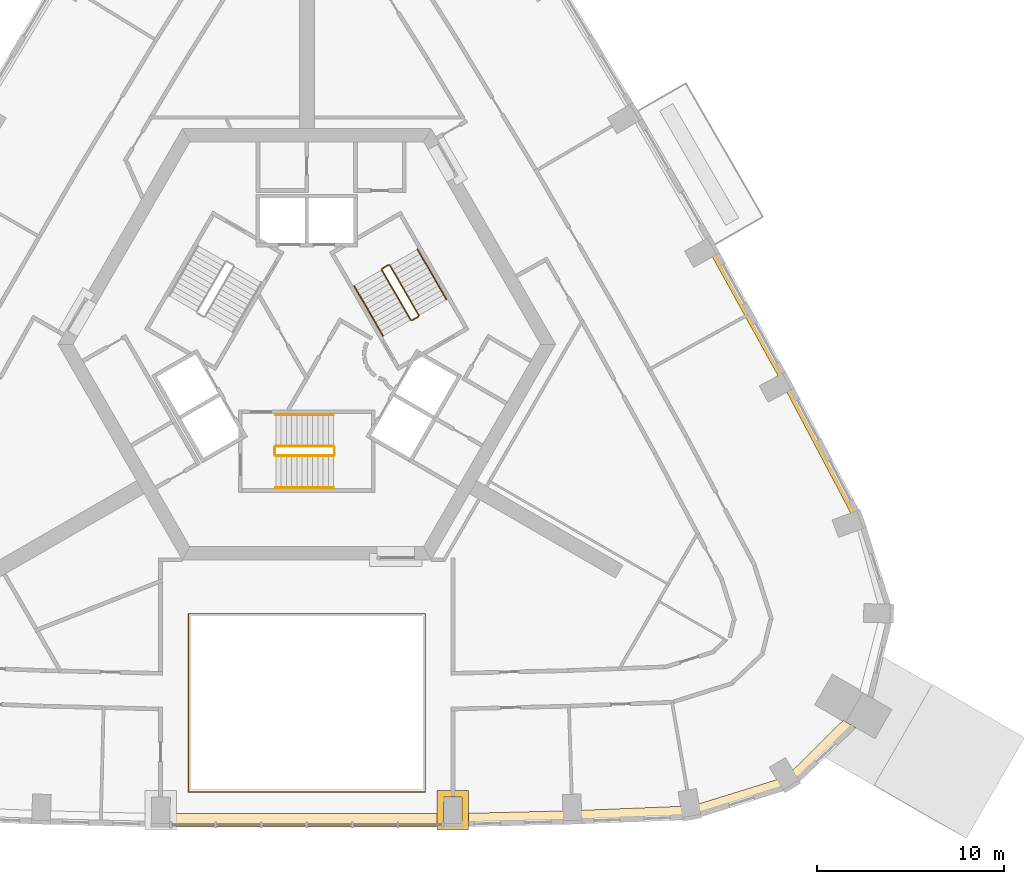
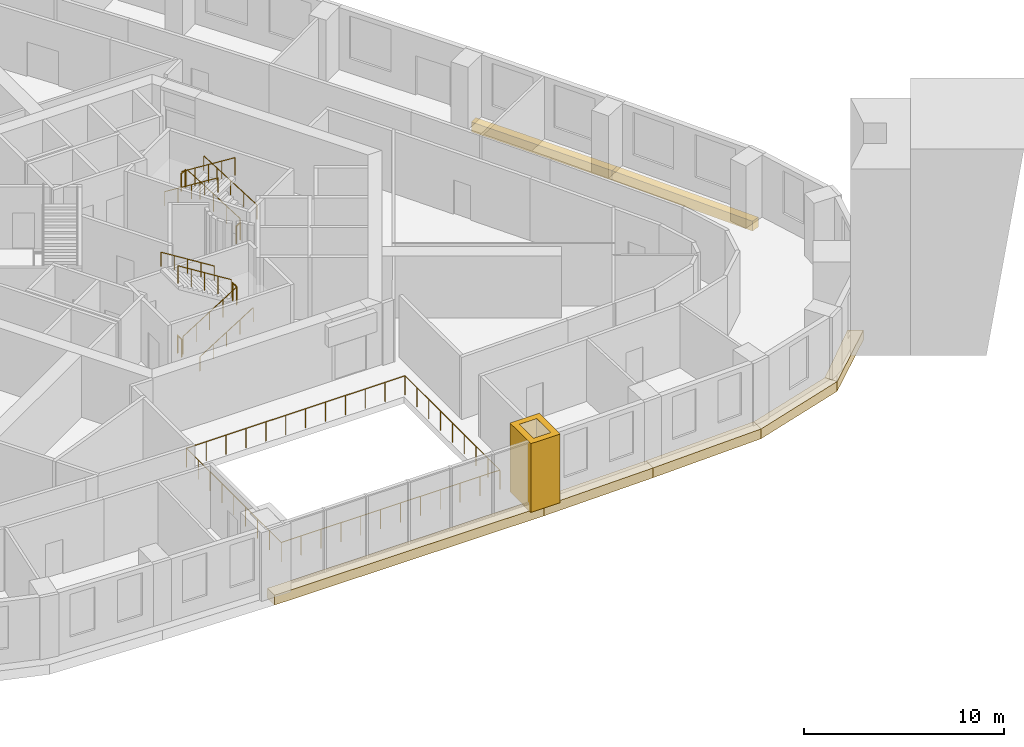
# One storey, part 12 of 13: 13 railings, 8 coverings.
"""IFC4 building model written with IfcOpenShell, lengths in metres."""

from ifc_helpers import new_model, si_unit, direction, frame, origin, origin_2d, place, context, subcontext, project, spatial, polyline, circle, outline, extrude, material, type_object, element, save


model = new_model("IFC4")

# Units and contexts
model_context = context("Model", 3, precision=1e-05, world=origin(), true_north=direction((0.0, 1.0)))
body_context = subcontext(model_context, "Body", "Model", "MODEL_VIEW")
ifc_project = project(units=[si_unit("LENGTHUNIT", "METRE"), si_unit("AREAUNIT", "SQUARE_METRE"), si_unit("VOLUMEUNIT", "CUBIC_METRE"), si_unit("PLANEANGLEUNIT", "RADIAN"), si_unit("MASSUNIT", "GRAM", prefix="KILO")], contexts=[model_context])

# Site, building, storey
site_placement = place(None, origin())
site = spatial("IfcSite", under=ifc_project, at=site_placement, CompositionType="ELEMENT")
building_placement = place(site_placement, origin())
building = spatial("IfcBuilding", under=site, at=building_placement, Name="Entoto Arch Interchange Tower", CompositionType="ELEMENT")
storey_placement = place(building_placement, frame((0.0, 0.0, 215.0)))
storey = spatial("IfcBuildingStorey", under=building, at=storey_placement, Name="L48", CompositionType="ELEMENT", Elevation=215.0)

# Railing
ifc_material_1 = material(Name="Stainless steel 1.4301", Category="steel")
railing_type_1 = type_object("IfcRailingType", Name="ATRIUM GUARD 1200 STEEL AND GLASS", PredefinedType="GUARDRAIL", material=ifc_material_1)
railing_1_placement = place(storey_placement, frame((6.320068359375, -21.381103515625, 0.0)))
element("IfcRailing", 1, at=railing_1_placement, inside=storey, type_object=railing_type_1, Name="Atrium guard L48", PredefinedType="GUARDRAIL", context=body_context, shape_type="SweptSolid", body=[
    extrude(circle(Radius=0.02392578125, at=origin_2d()), frame((0.0, 0.0, 1.17578125), z_axis=(-1.0, 0.0, 0.0), x_axis=(0.0, -1.0, 0.0)), (0.0, 0.0, 1.0), 12.64013671875),
    extrude(circle(Radius=0.02392578125, at=origin_2d()), frame((-12.64013671875, 0.0, 1.17578125), z_axis=(0.0, 1.0, 0.0), x_axis=(-1.0, 0.0, 0.0)), (0.0, 0.0, 1.0), 9.501220703125),
    extrude(circle(Radius=0.02392578125, at=origin_2d()), frame((-12.64013671875, 9.501220703125, 1.17578125), z_axis=(1.0, 0.0, 0.0), x_axis=(0.0, 1.0, 0.0)), (0.0, 0.0, 1.0), 12.64013671875),
    extrude(circle(Radius=0.02392578125, at=origin_2d()), frame((0.0, 9.501220703125, 1.17578125), z_axis=(0.0, -1.0, 0.0), x_axis=(1.0, 0.0, 0.0)), (0.0, 0.0, 1.0), 9.501220703125),
    extrude(circle(Radius=0.02099609375, at=origin_2d()), origin(), (0.0, 0.0, 1.0), 1.15185546875),
    extrude(circle(Radius=0.02099609375, at=origin_2d()), frame((-1.149169921875, 0.0, 0.0)), (0.0, 0.0, 1.0), 1.15185546875),
    extrude(circle(Radius=0.02099609375, at=origin_2d()), frame((-2.298095703125, 0.0, 0.0)), (0.0, 0.0, 1.0), 1.15185546875),
    extrude(circle(Radius=0.02099609375, at=origin_2d()), frame((-3.447265625, 0.0, 0.0)), (0.0, 0.0, 1.0), 1.15185546875),
    extrude(circle(Radius=0.02099609375, at=origin_2d()), frame((-4.596435546875, 0.0, 0.0)), (0.0, 0.0, 1.0), 1.15185546875),
    extrude(circle(Radius=0.02099609375, at=origin_2d()), frame((-5.74560546875, 0.0, 0.0)), (0.0, 0.0, 1.0), 1.15185546875),
    extrude(circle(Radius=0.02099609375, at=origin_2d()), frame((-6.89453125, 0.0, 0.0)), (0.0, 0.0, 1.0), 1.15185546875),
    extrude(circle(Radius=0.02099609375, at=origin_2d()), frame((-8.043701171875, 0.0, 0.0)), (0.0, 0.0, 1.0), 1.15185546875),
    extrude(circle(Radius=0.02099609375, at=origin_2d()), frame((-9.19287109375, 0.0, 0.0)), (0.0, 0.0, 1.0), 1.15185546875),
    extrude(circle(Radius=0.02099609375, at=origin_2d()), frame((-10.342041015625, 0.0, 0.0)), (0.0, 0.0, 1.0), 1.15185546875),
    extrude(circle(Radius=0.02099609375, at=origin_2d()), frame((-11.490966796875, 0.0, 0.0)), (0.0, 0.0, 1.0), 1.15185546875),
    extrude(circle(Radius=0.02099609375, at=origin_2d()), frame((-12.64013671875, 0.0, 0.0)), (0.0, 0.0, 1.0), 1.15185546875),
    extrude(circle(Radius=0.02099609375, at=origin_2d()), frame((-12.64013671875, 1.187744140625, 0.0)), (0.0, 0.0, 1.0), 1.15185546875),
    extrude(circle(Radius=0.02099609375, at=origin_2d()), frame((-12.64013671875, 2.375244140625, 0.0)), (0.0, 0.0, 1.0), 1.15185546875),
    extrude(circle(Radius=0.02099609375, at=origin_2d()), frame((-12.64013671875, 3.56298828125, 0.0)), (0.0, 0.0, 1.0), 1.15185546875),
    extrude(circle(Radius=0.02099609375, at=origin_2d()), frame((-12.64013671875, 4.75048828125, 0.0)), (0.0, 0.0, 1.0), 1.15185546875),
    extrude(circle(Radius=0.02099609375, at=origin_2d()), frame((-12.64013671875, 5.938232421875, 0.0)), (0.0, 0.0, 1.0), 1.15185546875),
    extrude(circle(Radius=0.02099609375, at=origin_2d()), frame((-12.64013671875, 7.1259765625, 0.0)), (0.0, 0.0, 1.0), 1.15185546875),
    extrude(circle(Radius=0.02099609375, at=origin_2d()), frame((-12.64013671875, 8.3134765625, 0.0)), (0.0, 0.0, 1.0), 1.15185546875),
    extrude(circle(Radius=0.02099609375, at=origin_2d()), frame((-12.64013671875, 9.501220703125, 0.0)), (0.0, 0.0, 1.0), 1.15185546875),
    extrude(circle(Radius=0.02099609375, at=origin_2d()), frame((-11.490966796875, 9.501220703125, 0.0)), (0.0, 0.0, 1.0), 1.15185546875),
    extrude(circle(Radius=0.02099609375, at=origin_2d()), frame((-10.342041015625, 9.501220703125, 0.0)), (0.0, 0.0, 1.0), 1.15185546875),
    extrude(circle(Radius=0.02099609375, at=origin_2d()), frame((-9.19287109375, 9.501220703125, 0.0)), (0.0, 0.0, 1.0), 1.15185546875),
    extrude(circle(Radius=0.02099609375, at=origin_2d()), frame((-8.043701171875, 9.501220703125, 0.0)), (0.0, 0.0, 1.0), 1.15185546875),
    extrude(circle(Radius=0.02099609375, at=origin_2d()), frame((-6.89453125, 9.501220703125, 0.0)), (0.0, 0.0, 1.0), 1.15185546875),
    extrude(circle(Radius=0.02099609375, at=origin_2d()), frame((-5.74560546875, 9.501220703125, 0.0)), (0.0, 0.0, 1.0), 1.15185546875),
    extrude(circle(Radius=0.02099609375, at=origin_2d()), frame((-4.596435546875, 9.501220703125, 0.0)), (0.0, 0.0, 1.0), 1.15185546875),
    extrude(circle(Radius=0.02099609375, at=origin_2d()), frame((-3.447265625, 9.501220703125, 0.0)), (0.0, 0.0, 1.0), 1.15185546875),
    extrude(circle(Radius=0.02099609375, at=origin_2d()), frame((-2.298095703125, 9.501220703125, 0.0)), (0.0, 0.0, 1.0), 1.15185546875),
    extrude(circle(Radius=0.02099609375, at=origin_2d()), frame((-1.149169921875, 9.501220703125, 0.0)), (0.0, 0.0, 1.0), 1.15185546875),
    extrude(circle(Radius=0.02099609375, at=origin_2d()), frame((0.0, 9.501220703125, 0.0)), (0.0, 0.0, 1.0), 1.15185546875),
    extrude(circle(Radius=0.02099609375, at=origin_2d()), frame((0.0, 8.3134765625, 0.0)), (0.0, 0.0, 1.0), 1.15185546875),
    extrude(circle(Radius=0.02099609375, at=origin_2d()), frame((0.0, 7.1259765625, 0.0)), (0.0, 0.0, 1.0), 1.15185546875),
    extrude(circle(Radius=0.02099609375, at=origin_2d()), frame((0.0, 5.938232421875, 0.0)), (0.0, 0.0, 1.0), 1.15185546875),
    extrude(circle(Radius=0.02099609375, at=origin_2d()), frame((0.0, 4.75048828125, 0.0)), (0.0, 0.0, 1.0), 1.15185546875),
    extrude(circle(Radius=0.02099609375, at=origin_2d()), frame((0.0, 3.56298828125, 0.0)), (0.0, 0.0, 1.0), 1.15185546875),
    extrude(circle(Radius=0.02099609375, at=origin_2d()), frame((0.0, 2.375244140625, 0.0)), (0.0, 0.0, 1.0), 1.15185546875),
    extrude(circle(Radius=0.02099609375, at=origin_2d()), frame((0.0, 1.187744140625, 0.0)), (0.0, 0.0, 1.0), 1.15185546875),
])

# Coverings
ifc_material_2 = material(Name="Board-marked precast concrete C50/60", Category="concrete")
covering_type_1 = type_object("IfcCoveringType", Name="PRECAST FRAME COURSE", PredefinedType="CLADDING", material=ifc_material_2)
covering_1_placement = place(storey_placement, frame((0.0, 0.0, -0.39990234375)))
element("IfcCovering", 2, at=covering_1_placement, inside=storey, type_object=covering_type_1, Name="Gate pier L48", PredefinedType="CLADDING", context=body_context, shape_type="SweptSolid", body=[
    extrude(outline(polyline([(6.93798828125, -21.31103515625), (8.637939453125, -21.31103515625), (8.637939453125, -23.410888671875), (6.93798828125, -23.410888671875), (6.93798828125, -21.31103515625)]), holes=[polyline([(7.2880859375, -21.660888671875), (7.2880859375, -23.06103515625), (8.2880859375, -23.06103515625), (8.2880859375, -21.660888671875), (7.2880859375, -21.660888671875)])]), origin(), (0.0, 0.0, 1.0), 4.199951171875),
])
covering_type_2 = type_object("IfcCoveringType", Name="PRECAST LEDGE COURSE", PredefinedType="CLADDING", material=ifc_material_2)
covering_2_placement = place(storey_placement, frame((0.0, 0.0, -1.0)))
element("IfcCovering", 3, at=covering_2_placement, inside=storey, type_object=covering_type_2, Name="Precast course S-03 L48", PredefinedType="CLADDING", context=body_context, shape_type="SweptSolid", body=[
    extrude(outline(polyline([(7.800048828125, -22.5439453125), (7.800048828125, -23.260986328125), (-7.800048828125, -23.260986328125), (-7.800048828125, -22.5439453125), (7.800048828125, -22.5439453125)])), origin(), (0.0, 0.0, 1.0), 0.60009765625),
])
covering_3_placement = place(storey_placement, frame((0.0, 0.0, -1.0)))
element("IfcCovering", 4, at=covering_3_placement, inside=storey, type_object=covering_type_2, Name="Precast course S-04 L48", PredefinedType="CLADDING", context=body_context, shape_type="SweptSolid", body=[
    extrude(outline(polyline([(14.18505859375, -22.383056640625), (14.18505859375, -23.10693359375), (7.800048828125, -23.260986328125), (7.800048828125, -22.5439453125), (14.18505859375, -22.383056640625)])), origin(), (0.0, 0.0, 1.0), 0.60009765625),
])
covering_4_placement = place(storey_placement, frame((0.0, 0.0, -1.0)))
element("IfcCovering", 5, at=covering_4_placement, inside=storey, type_object=covering_type_2, Name="Precast course S-05 L48", PredefinedType="CLADDING", context=body_context, shape_type="SweptSolid", body=[
    extrude(outline(polyline([(20.569091796875, -22.1279296875), (20.569091796875, -22.862060546875), (14.18505859375, -23.10693359375), (14.18505859375, -22.383056640625), (20.569091796875, -22.1279296875)])), origin(), (0.0, 0.0, 1.0), 0.60009765625),
])
covering_5_placement = place(storey_placement, frame((0.0, 0.0, -1.0)))
element("IfcCovering", 6, at=covering_5_placement, inside=storey, type_object=covering_type_2, Name="Precast course SE-01 L48", PredefinedType="CLADDING", context=body_context, shape_type="SweptSolid", body=[
    extrude(outline(polyline([(25.571044921875, -20.5791015625), (25.93798828125, -21.179931640625), (20.569091796875, -22.862060546875), (20.569091796875, -22.1279296875), (25.571044921875, -20.5791015625)])), origin(), (0.0, 0.0, 1.0), 0.60009765625),
])
covering_6_placement = place(storey_placement, frame((0.0, 0.0, -1.0)))
element("IfcCovering", 7, at=covering_6_placement, inside=storey, type_object=covering_type_2, Name="Precast course SE-02 L48", PredefinedType="CLADDING", context=body_context, shape_type="SweptSolid", body=[
    extrude(outline(polyline([(28.62109375, -17.56396484375), (29.31298828125, -17.962890625), (25.93798828125, -21.179931640625), (25.571044921875, -20.5791015625), (28.62109375, -17.56396484375)])), origin(), (0.0, 0.0, 1.0), 0.60009765625),
])
covering_7_placement = place(storey_placement, frame((0.0, 0.0, -1.0)))
element("IfcCovering", 8, at=covering_7_placement, inside=storey, type_object=covering_type_2, Name="Precast course NE-01 L48", PredefinedType="CLADDING", context=body_context, shape_type="SweptSolid", body=[
    extrude(outline(polyline([(25.383056640625, 0.385009765625), (25.784912109375, 0.60205078125), (29.699951171875, -6.7880859375), (29.256103515625, -6.951904296875), (25.383056640625, 0.385009765625)])), origin(), (0.0, 0.0, 1.0), 0.60009765625),
])
covering_8_placement = place(storey_placement, frame((0.0, 0.0, -1.0)))
element("IfcCovering", 9, at=covering_8_placement, inside=storey, type_object=covering_type_2, Name="Precast course NE-02 L48", PredefinedType="CLADDING", context=body_context, shape_type="SweptSolid", body=[
    extrude(outline(polyline([(21.39892578125, 7.596923828125), (21.791015625, 7.819091796875), (25.784912109375, 0.60205078125), (25.383056640625, 0.385009765625), (21.39892578125, 7.596923828125)])), origin(), (0.0, 0.0, 1.0), 0.60009765625),
])

# Railings
railing_type_2 = type_object("IfcRailingType", Name="STAIR GUARD 1100 STEEL", PredefinedType="GUARDRAIL", material=ifc_material_1)
railing_2_placement = place(storey_placement, frame((-1.64990234375, -3.449951171875, 0.175048828125)))
element("IfcRailing", 10, at=railing_2_placement, inside=storey, type_object=railing_type_2, Name="L48 ST-S stair guard 1", PredefinedType="GUARDRAIL", context=body_context, shape_type="SweptSolid", body=[
    extrude(circle(Radius=0.02392578125, at=origin_2d()), frame((0.0, 0.0, 1.076171875), z_axis=(0.847979421464, 0.0, 0.530029150871), x_axis=(0.0, 1.0, 0.0)), (0.0, 0.0, 1.0), 3.632080078125),
    extrude(circle(Radius=0.02099609375, at=origin_2d()), origin(), (0.0, 0.0, 1.0), 1.052001953125),
    extrude(circle(Radius=0.02099609375, at=origin_2d()), frame((0.77001953125, 0.0, 0.481201171875)), (0.0, 0.0, 1.0), 1.052001953125),
    extrude(circle(Radius=0.02099609375, at=origin_2d()), frame((1.5400390625, 0.0, 0.96240234375)), (0.0, 0.0, 1.0), 1.052001953125),
    extrude(circle(Radius=0.02099609375, at=origin_2d()), frame((2.309814453125, 0.0, 1.44384765625)), (0.0, 0.0, 1.0), 1.052001953125),
    extrude(circle(Radius=0.02099609375, at=origin_2d()), frame((3.079833984375, 0.0, 1.925048828125)), (0.0, 0.0, 1.0), 1.052001953125),
])
railing_3_placement = place(storey_placement, frame((1.47998046875, -3.39990234375, 2.10009765625)))
element("IfcRailing", 11, at=railing_3_placement, inside=storey, type_object=railing_type_2, Name="L48 ST-S stair guard 2", PredefinedType="GUARDRAIL", context=body_context, shape_type="SweptSolid", body=[
    extrude(circle(Radius=0.02392578125, at=origin_2d()), frame((0.0, 0.0, 1.076171875), z_axis=(0.0, 1.0, 0.0), x_axis=(-1.0, 0.0, 0.0)), (0.0, 0.0, 1.0), 0.39990234375),
    extrude(circle(Radius=0.02099609375, at=origin_2d()), origin(), (0.0, 0.0, 1.0), 1.052001953125),
    extrude(circle(Radius=0.02099609375, at=origin_2d()), frame((0.0, 0.39990234375, 0.0)), (0.0, 0.0, 1.0), 1.052001953125),
])
railing_4_placement = place(storey_placement, frame((1.429931640625, -2.949951171875, 2.27490234375)))
element("IfcRailing", 12, at=railing_4_placement, inside=storey, type_object=railing_type_2, Name="L48 ST-S stair guard 3", PredefinedType="GUARDRAIL", context=body_context, shape_type="SweptSolid", body=[
    extrude(circle(Radius=0.02392578125, at=origin_2d()), frame((0.0, 0.0, 1.076171875), z_axis=(-0.847979421464, 0.0, 0.530029150871), x_axis=(0.0, -1.0, 0.0)), (0.0, 0.0, 1.0), 3.632080078125),
    extrude(circle(Radius=0.02099609375, at=origin_2d()), origin(), (0.0, 0.0, 1.0), 1.052001953125),
    extrude(circle(Radius=0.02099609375, at=origin_2d()), frame((-0.77001953125, 0.0, 0.481201171875)), (0.0, 0.0, 1.0), 1.052001953125),
    extrude(circle(Radius=0.02099609375, at=origin_2d()), frame((-1.5400390625, 0.0, 0.96240234375)), (0.0, 0.0, 1.0), 1.052001953125),
    extrude(circle(Radius=0.02099609375, at=origin_2d()), frame((-2.309814453125, 0.0, 1.44384765625)), (0.0, 0.0, 1.0), 1.052001953125),
    extrude(circle(Radius=0.02099609375, at=origin_2d()), frame((-3.079833984375, 0.0, 1.925048828125)), (0.0, 0.0, 1.0), 1.052001953125),
])
railing_5_placement = place(storey_placement, frame((-1.699951171875, -3.39990234375, 0.0)))
element("IfcRailing", 13, at=railing_5_placement, inside=storey, type_object=railing_type_2, Name="L48 ST-S stair guard 4", PredefinedType="GUARDRAIL", context=body_context, shape_type="SweptSolid", body=[
    extrude(circle(Radius=0.02392578125, at=origin_2d()), frame((0.0, 0.0, 1.076171875), z_axis=(0.0, 1.0, 0.0), x_axis=(-1.0, 0.0, 0.0)), (0.0, 0.0, 1.0), 0.39990234375),
    extrude(circle(Radius=0.02099609375, at=origin_2d()), origin(), (0.0, 0.0, 1.0), 1.052001953125),
    extrude(circle(Radius=0.02099609375, at=origin_2d()), frame((0.0, 0.39990234375, 0.0)), (0.0, 0.0, 1.0), 1.052001953125),
])
railing_6_placement = place(storey_placement, frame((5.977783203125, 4.046142578125, 0.175048828125)))
element("IfcRailing", 14, at=railing_6_placement, inside=storey, type_object=railing_type_2, Name="L48 ST-NE stair guard 1", PredefinedType="GUARDRAIL", context=body_context, shape_type="SweptSolid", body=[
    extrude(circle(Radius=0.02392578125, at=origin_2d()), frame((0.0, 0.0, 1.076171875), z_axis=(-0.424015404183, 0.734364028329, 0.530019255228), x_axis=(-0.866010015463, -0.500026652407, 0.0)), (0.0, 0.0, 1.0), 3.632080078125),
    extrude(circle(Radius=0.02099609375, at=origin_2d()), origin(), (0.0, 0.0, 1.0), 1.052001953125),
    extrude(circle(Radius=0.02099609375, at=origin_2d()), frame((-0.385009765625, 0.666748046875, 0.481201171875)), (0.0, 0.0, 1.0), 1.052001953125),
    extrude(circle(Radius=0.02099609375, at=origin_2d()), frame((-0.77001953125, 1.33349609375, 0.96240234375)), (0.0, 0.0, 1.0), 1.052001953125),
    extrude(circle(Radius=0.02099609375, at=origin_2d()), frame((-1.155029296875, 2.00048828125, 1.44384765625)), (0.0, 0.0, 1.0), 1.052001953125),
    extrude(circle(Radius=0.02099609375, at=origin_2d()), frame((-1.5400390625, 2.667236328125, 1.925048828125)), (0.0, 0.0, 1.0), 1.052001953125),
])
railing_7_placement = place(storey_placement, frame((4.36962890625, 6.731689453125, 2.10009765625)))
element("IfcRailing", 15, at=railing_7_placement, inside=storey, type_object=railing_type_2, Name="L48 ST-NE stair guard 2", PredefinedType="GUARDRAIL", context=body_context, shape_type="SweptSolid", body=[
    extrude(circle(Radius=0.02392578125, at=origin_2d()), frame((0.0, 0.0, 1.076171875), z_axis=(-0.866094119867, -0.499880961361, 0.0), x_axis=(0.499880961361, -0.866094119867, 0.0)), (0.0, 0.0, 1.0), 0.39990234375),
    extrude(circle(Radius=0.02099609375, at=origin_2d()), origin(), (0.0, 0.0, 1.0), 1.052001953125),
    extrude(circle(Radius=0.02099609375, at=origin_2d()), frame((-0.346435546875, -0.199951171875, 0.0)), (0.0, 0.0, 1.0), 1.052001953125),
])
railing_8_placement = place(storey_placement, frame((4.0048828125, 6.46337890625, 2.27490234375)))
element("IfcRailing", 16, at=railing_8_placement, inside=storey, type_object=railing_type_2, Name="L48 ST-NE stair guard 3", PredefinedType="GUARDRAIL", context=body_context, shape_type="SweptSolid", body=[
    extrude(circle(Radius=0.02392578125, at=origin_2d()), frame((0.0, 0.0, 1.076171875), z_axis=(0.424015404183, -0.734364028329, 0.530019255228), x_axis=(0.866010015463, 0.500026652407, 0.0)), (0.0, 0.0, 1.0), 3.632080078125),
    extrude(circle(Radius=0.02099609375, at=origin_2d()), origin(), (0.0, 0.0, 1.0), 1.052001953125),
    extrude(circle(Radius=0.02099609375, at=origin_2d()), frame((0.385009765625, -0.666748046875, 0.481201171875)), (0.0, 0.0, 1.0), 1.052001953125),
    extrude(circle(Radius=0.02099609375, at=origin_2d()), frame((0.77001953125, -1.33349609375, 0.96240234375)), (0.0, 0.0, 1.0), 1.052001953125),
    extrude(circle(Radius=0.02099609375, at=origin_2d()), frame((1.155029296875, -2.00048828125, 1.44384765625)), (0.0, 0.0, 1.0), 1.052001953125),
    extrude(circle(Radius=0.02099609375, at=origin_2d()), frame((1.5400390625, -2.667236328125, 1.925048828125)), (0.0, 0.0, 1.0), 1.052001953125),
])
railing_9_placement = place(storey_placement, frame((5.95947265625, 3.977783203125, 0.0)))
element("IfcRailing", 17, at=railing_9_placement, inside=storey, type_object=railing_type_2, Name="L48 ST-NE stair guard 4", PredefinedType="GUARDRAIL", context=body_context, shape_type="SweptSolid", body=[
    extrude(circle(Radius=0.02392578125, at=origin_2d()), frame((0.0, 0.0, 1.076171875), z_axis=(-0.866094119867, -0.499880961361, 0.0), x_axis=(0.499880961361, -0.866094119867, 0.0)), (0.0, 0.0, 1.0), 0.39990234375),
    extrude(circle(Radius=0.02099609375, at=origin_2d()), origin(), (0.0, 0.0, 1.0), 1.052001953125),
    extrude(circle(Radius=0.02099609375, at=origin_2d()), frame((-0.346435546875, -0.199951171875, 0.0)), (0.0, 0.0, 1.0), 1.052001953125),
])
railing_type_3 = type_object("IfcRailingType", Name="STAIR HANDRAIL 900 STEEL", PredefinedType="HANDRAIL", material=ifc_material_1)
railing_10_placement = place(storey_placement, frame((-1.64990234375, -5.14990234375, 0.175048828125)))
element("IfcRailing", 18, at=railing_10_placement, inside=storey, type_object=railing_type_3, Name="L48 ST-S stair handrail 1", PredefinedType="HANDRAIL", context=body_context, shape_type="SweptSolid", body=[
    extrude(circle(Radius=0.02392578125, at=origin_2d()), frame((0.0, 0.0, 0.8759765625), z_axis=(0.847979421464, 0.0, 0.530029150871), x_axis=(0.0, 1.0, 0.0)), (0.0, 0.0, 1.0), 3.632080078125),
    extrude(circle(Radius=0.02099609375, at=origin_2d()), origin(), (0.0, 0.0, 1.0), 0.851806640625),
    extrude(circle(Radius=0.02099609375, at=origin_2d()), frame((0.77001953125, 0.0, 0.481201171875)), (0.0, 0.0, 1.0), 0.851806640625),
    extrude(circle(Radius=0.02099609375, at=origin_2d()), frame((1.5400390625, 0.0, 0.96240234375)), (0.0, 0.0, 1.0), 0.851806640625),
    extrude(circle(Radius=0.02099609375, at=origin_2d()), frame((2.309814453125, 0.0, 1.44384765625)), (0.0, 0.0, 1.0), 0.851806640625),
    extrude(circle(Radius=0.02099609375, at=origin_2d()), frame((3.079833984375, 0.0, 1.925048828125)), (0.0, 0.0, 1.0), 0.851806640625),
])
railing_11_placement = place(storey_placement, frame((1.429931640625, -1.25, 2.27490234375)))
element("IfcRailing", 19, at=railing_11_placement, inside=storey, type_object=railing_type_3, Name="L48 ST-S stair handrail 2", PredefinedType="HANDRAIL", context=body_context, shape_type="SweptSolid", body=[
    extrude(circle(Radius=0.02392578125, at=origin_2d()), frame((0.0, 0.0, 0.8759765625), z_axis=(-0.847979421464, 0.0, 0.530029150871), x_axis=(0.0, -1.0, 0.0)), (0.0, 0.0, 1.0), 3.632080078125),
    extrude(circle(Radius=0.02099609375, at=origin_2d()), origin(), (0.0, 0.0, 1.0), 0.851806640625),
    extrude(circle(Radius=0.02099609375, at=origin_2d()), frame((-0.77001953125, 0.0, 0.481201171875)), (0.0, 0.0, 1.0), 0.851806640625),
    extrude(circle(Radius=0.02099609375, at=origin_2d()), frame((-1.5400390625, 0.0, 0.96240234375)), (0.0, 0.0, 1.0), 0.851806640625),
    extrude(circle(Radius=0.02099609375, at=origin_2d()), frame((-2.309814453125, 0.0, 1.44384765625)), (0.0, 0.0, 1.0), 0.851806640625),
    extrude(circle(Radius=0.02099609375, at=origin_2d()), frame((-3.079833984375, 0.0, 1.925048828125)), (0.0, 0.0, 1.0), 0.851806640625),
])
railing_12_placement = place(storey_placement, frame((7.4501953125, 4.89599609375, 0.175048828125)))
element("IfcRailing", 20, at=railing_12_placement, inside=storey, type_object=railing_type_3, Name="L48 ST-NE stair handrail 1", PredefinedType="HANDRAIL", context=body_context, shape_type="SweptSolid", body=[
    extrude(circle(Radius=0.02392578125, at=origin_2d()), frame((0.0, 0.0, 0.8759765625), z_axis=(-0.423994474112, 0.734394994316, 0.52999309264), x_axis=(-0.866029832698, -0.499992328818, 0.0)), (0.0, 0.0, 1.0), 3.63232421875),
    extrude(circle(Radius=0.02099609375, at=origin_2d()), origin(), (0.0, 0.0, 1.0), 0.851806640625),
    extrude(circle(Radius=0.02099609375, at=origin_2d()), frame((-0.385009765625, 0.6669921875, 0.481201171875)), (0.0, 0.0, 1.0), 0.851806640625),
    extrude(circle(Radius=0.02099609375, at=origin_2d()), frame((-0.77001953125, 1.333740234375, 0.96240234375)), (0.0, 0.0, 1.0), 0.851806640625),
    extrude(circle(Radius=0.02099609375, at=origin_2d()), frame((-1.155029296875, 2.00048828125, 1.44384765625)), (0.0, 0.0, 1.0), 0.851806640625),
    extrude(circle(Radius=0.02099609375, at=origin_2d()), frame((-1.5400390625, 2.66748046875, 1.925048828125)), (0.0, 0.0, 1.0), 0.851806640625),
])
railing_13_placement = place(storey_placement, frame((2.53271484375, 5.613525390625, 2.27490234375)))
element("IfcRailing", 21, at=railing_13_placement, inside=storey, type_object=railing_type_3, Name="L48 ST-NE stair handrail 2", PredefinedType="HANDRAIL", context=body_context, shape_type="SweptSolid", body=[
    extrude(circle(Radius=0.02392578125, at=origin_2d()), frame((0.0, 0.0, 0.8759765625), z_axis=(0.423939339791, -0.734415923031, 0.53000819633), x_axis=(0.866064153644, 0.499932877268, 0.0)), (0.0, 0.0, 1.0), 3.632080078125),
    extrude(circle(Radius=0.02099609375, at=origin_2d()), origin(), (0.0, 0.0, 1.0), 0.851806640625),
    extrude(circle(Radius=0.02099609375, at=origin_2d()), frame((0.385009765625, -0.6669921875, 0.481201171875)), (0.0, 0.0, 1.0), 0.851806640625),
    extrude(circle(Radius=0.02099609375, at=origin_2d()), frame((0.77001953125, -1.333740234375, 0.96240234375)), (0.0, 0.0, 1.0), 0.851806640625),
    extrude(circle(Radius=0.02099609375, at=origin_2d()), frame((1.15478515625, -2.00048828125, 1.44384765625)), (0.0, 0.0, 1.0), 0.851806640625),
    extrude(circle(Radius=0.02099609375, at=origin_2d()), frame((1.539794921875, -2.66748046875, 1.925048828125)), (0.0, 0.0, 1.0), 0.851806640625),
])

save(model, "model.ifc")
